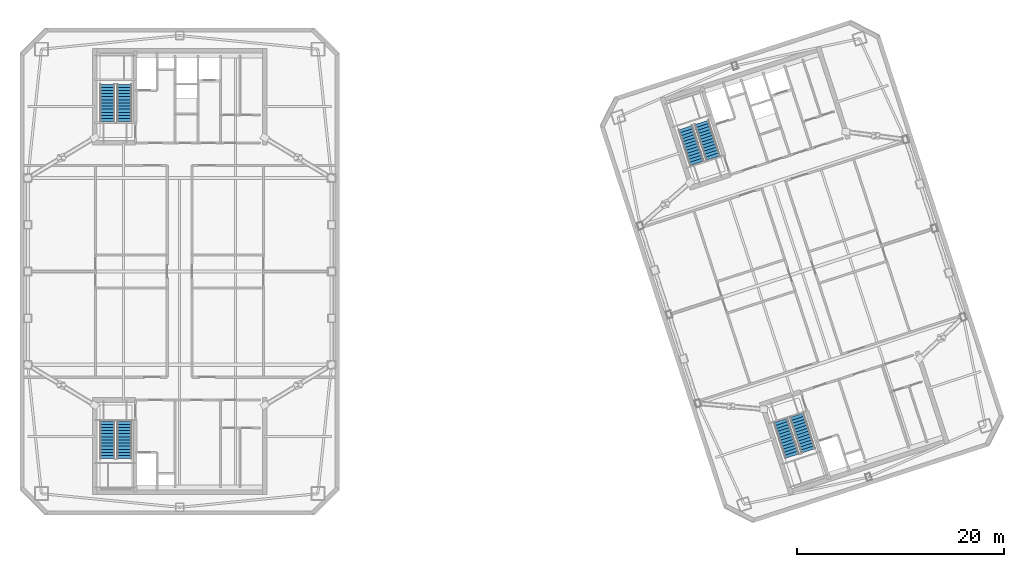
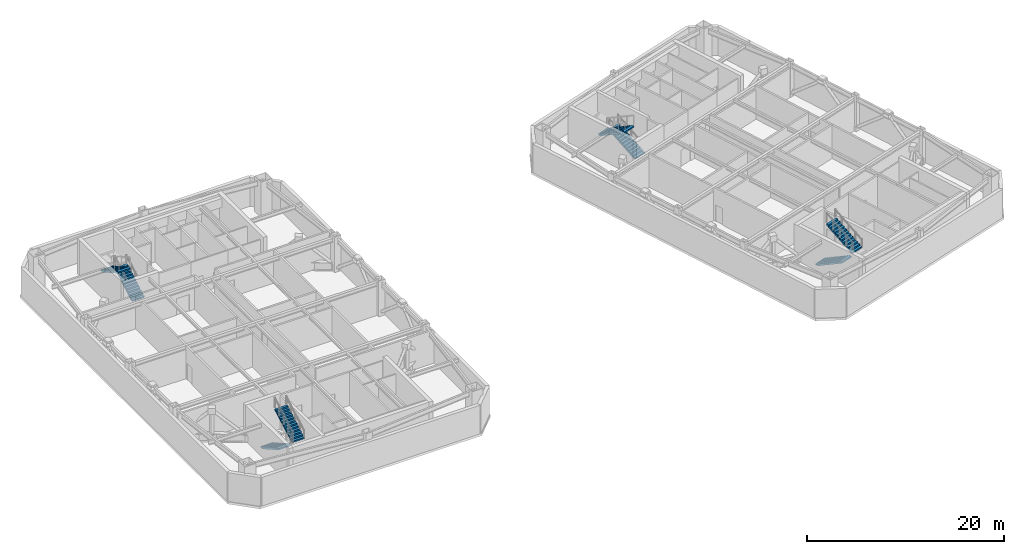
# One storey, part 15 of 17: 8 stair flights, 4 elements without a shape of their own.
"""IFC4 building model written with IfcOpenShell, lengths in metres."""

from ifc_helpers import new_model, si_unit, direction, frame, origin, place, context, subcontext, project, spatial, polyline, outline, extrude, material, type_object, element, aggregate, save


model = new_model("IFC4")

# Units and contexts
model_context = context("Model", 3, precision=1e-05, world=origin(), true_north=direction((0.0, 1.0)))
body_context = subcontext(model_context, "Body", "Model", "MODEL_VIEW")
ifc_project = project(units=[si_unit("LENGTHUNIT", "METRE"), si_unit("AREAUNIT", "SQUARE_METRE"), si_unit("VOLUMEUNIT", "CUBIC_METRE"), si_unit("PLANEANGLEUNIT", "RADIAN"), si_unit("MASSUNIT", "GRAM", prefix="KILO")], contexts=[model_context])

# Site, building, storey
site_placement = place(None, origin())
site = spatial("IfcSite", under=ifc_project, at=site_placement, CompositionType="ELEMENT")
building_placement = place(site_placement, origin())
building = spatial("IfcBuilding", under=site, at=building_placement, Name="Qiaolan Cultural Towers", CompositionType="ELEMENT")
storey_placement = place(building_placement, frame((0.0, 0.0, 230.0)))
storey = spatial("IfcBuildingStorey", under=building, at=storey_placement, Name="L62", CompositionType="ELEMENT", Elevation=230.0)

# Stair, stair flights
ifc_material_1 = material(Name="Concrete C45", Category="concrete")
stair_type = type_object("IfcStairType", Name="STR-CORE-1500", PredefinedType="HALF_TURN_STAIR", material=ifc_material_1)
stair_1_placement = place(storey_placement, origin())
stair_1 = element("IfcStair", 1, at=stair_1_placement, inside=storey, type_object=stair_type, Name="L62 Smokeproof Exit Stair ST-W1", PredefinedType="HALF_TURN_STAIR")
ifc_material_2 = material(Name="Concrete C45", Category="concrete")
stair_flight_type = type_object("IfcStairFlightType", Name="STR-CORE-1500-FL", PredefinedType="STRAIGHT", material=ifc_material_2)
stair_flight_1_placement = place(storey_placement, frame((23.02001953125, 19.550048828125, 0.0), z_axis=(0.0, 0.0, 1.0), x_axis=(0.0, -1.0, 0.0)))
stair_flight_1 = element("IfcStairFlight", 2, at=stair_flight_1_placement, type_object=stair_flight_type, Name="ST-W1 flight 1", NumberOfRisers=13, NumberOfTreads=12, PredefinedType="STRAIGHT", RiserHeight=0.169230769, TreadLength=0.3, context=body_context, shape_type="SweptSolid", body=[
    extrude(outline(polyline([(0.0, 0.0), (0.0, 0.169189453125), (0.300048828125, 0.169189453125), (0.300048828125, 0.33837890625), (0.60009765625, 0.33837890625), (0.60009765625, 0.5078125), (0.89990234375, 0.5078125), (0.89990234375, 0.677001953125), (1.199951171875, 0.677001953125), (1.199951171875, 0.84619140625), (1.5, 0.84619140625), (1.5, 1.015380859375), (1.800048828125, 1.015380859375), (1.800048828125, 1.1845703125), (2.10009765625, 1.1845703125), (2.10009765625, 1.353759765625), (2.39990234375, 1.353759765625), (2.39990234375, 1.523193359375), (2.699951171875, 1.523193359375), (2.699951171875, 1.6923828125), (3.0, 1.6923828125), (3.0, 1.861572265625), (3.300048828125, 1.861572265625), (3.300048828125, 2.03076171875), (3.60009765625, 2.03076171875), (3.60009765625, 2.199951171875), (3.60009765625, 1.858642578125), (0.30517578125, 0.0), (0.0, 0.0)])), frame((0.0, 0.719970703125, 0.0), z_axis=(0.0, -1.0, 0.0), x_axis=(1.0, 0.0, 0.0)), (0.0, 0.0, 1.0), 1.43994140625),
])
stair_flight_2_placement = place(storey_placement, frame((24.659912109375, 15.949951171875, 2.199951171875), z_axis=(0.0, 0.0, 1.0), x_axis=(0.0, 1.0, 0.0)))
stair_flight_2 = element("IfcStairFlight", 3, at=stair_flight_2_placement, type_object=stair_flight_type, Name="ST-W1 flight 2", NumberOfRisers=13, NumberOfTreads=12, PredefinedType="STRAIGHT", RiserHeight=0.169230769, TreadLength=0.3, context=body_context, shape_type="SweptSolid", body=[
    extrude(outline(polyline([(0.0, 0.0), (0.0, 0.169189453125), (0.300048828125, 0.169189453125), (0.300048828125, 0.33837890625), (0.60009765625, 0.33837890625), (0.60009765625, 0.5078125), (0.89990234375, 0.5078125), (0.89990234375, 0.677001953125), (1.199951171875, 0.677001953125), (1.199951171875, 0.84619140625), (1.5, 0.84619140625), (1.5, 1.015380859375), (1.800048828125, 1.015380859375), (1.800048828125, 1.1845703125), (2.10009765625, 1.1845703125), (2.10009765625, 1.353759765625), (2.39990234375, 1.353759765625), (2.39990234375, 1.523193359375), (2.699951171875, 1.523193359375), (2.699951171875, 1.6923828125), (3.0, 1.6923828125), (3.0, 1.861572265625), (3.300048828125, 1.861572265625), (3.300048828125, 2.03076171875), (3.60009765625, 2.03076171875), (3.60009765625, 2.199951171875), (3.60009765625, 1.858642578125), (0.30517578125, 0.0), (0.0, 0.0)])), frame((0.0, 0.719970703125, 0.0), z_axis=(0.0, -1.0, 0.0), x_axis=(1.0, 0.0, 0.0)), (0.0, 0.0, 1.0), 1.43994140625),
])
aggregate(stair_1, [stair_flight_1, stair_flight_2])

stair_2_placement = place(storey_placement, origin())
stair_2 = element("IfcStair", 4, at=stair_2_placement, inside=storey, type_object=stair_type, Name="L62 Smokeproof Exit Stair ST-W2", PredefinedType="HALF_TURN_STAIR")
stair_flight_3_placement = place(storey_placement, frame((24.659912109375, 48.449951171875, 0.0), z_axis=(0.0, 0.0, 1.0), x_axis=(0.0, 1.0, 0.0)))
stair_flight_3 = element("IfcStairFlight", 5, at=stair_flight_3_placement, type_object=stair_flight_type, Name="ST-W2 flight 1", NumberOfRisers=13, NumberOfTreads=12, PredefinedType="STRAIGHT", RiserHeight=0.169230769, TreadLength=0.3, context=body_context, shape_type="SweptSolid", body=[
    extrude(outline(polyline([(0.0, 0.0), (0.0, 0.169189453125), (0.300048828125, 0.169189453125), (0.300048828125, 0.33837890625), (0.60009765625, 0.33837890625), (0.60009765625, 0.5078125), (0.89990234375, 0.5078125), (0.89990234375, 0.677001953125), (1.199951171875, 0.677001953125), (1.199951171875, 0.84619140625), (1.5, 0.84619140625), (1.5, 1.015380859375), (1.800048828125, 1.015380859375), (1.800048828125, 1.1845703125), (2.10009765625, 1.1845703125), (2.10009765625, 1.353759765625), (2.39990234375, 1.353759765625), (2.39990234375, 1.523193359375), (2.699951171875, 1.523193359375), (2.699951171875, 1.6923828125), (3.0, 1.6923828125), (3.0, 1.861572265625), (3.300048828125, 1.861572265625), (3.300048828125, 2.03076171875), (3.60009765625, 2.03076171875), (3.60009765625, 2.199951171875), (3.60009765625, 1.858642578125), (0.30517578125, 0.0), (0.0, 0.0)])), frame((0.0, 0.719970703125, 0.0), z_axis=(0.0, -1.0, 0.0), x_axis=(1.0, 0.0, 0.0)), (0.0, 0.0, 1.0), 1.43994140625),
])
stair_flight_4_placement = place(storey_placement, frame((23.02001953125, 52.050048828125, 2.199951171875), z_axis=(0.0, 0.0, 1.0), x_axis=(0.0, -1.0, 0.0)))
stair_flight_4 = element("IfcStairFlight", 6, at=stair_flight_4_placement, type_object=stair_flight_type, Name="ST-W2 flight 2", NumberOfRisers=13, NumberOfTreads=12, PredefinedType="STRAIGHT", RiserHeight=0.169230769, TreadLength=0.3, context=body_context, shape_type="SweptSolid", body=[
    extrude(outline(polyline([(0.0, 0.0), (0.0, 0.169189453125), (0.300048828125, 0.169189453125), (0.300048828125, 0.33837890625), (0.60009765625, 0.33837890625), (0.60009765625, 0.5078125), (0.89990234375, 0.5078125), (0.89990234375, 0.677001953125), (1.199951171875, 0.677001953125), (1.199951171875, 0.84619140625), (1.5, 0.84619140625), (1.5, 1.015380859375), (1.800048828125, 1.015380859375), (1.800048828125, 1.1845703125), (2.10009765625, 1.1845703125), (2.10009765625, 1.353759765625), (2.39990234375, 1.353759765625), (2.39990234375, 1.523193359375), (2.699951171875, 1.523193359375), (2.699951171875, 1.6923828125), (3.0, 1.6923828125), (3.0, 1.861572265625), (3.300048828125, 1.861572265625), (3.300048828125, 2.03076171875), (3.60009765625, 2.03076171875), (3.60009765625, 2.199951171875), (3.60009765625, 1.858642578125), (0.30517578125, 0.0), (0.0, 0.0)])), frame((0.0, 0.719970703125, 0.0), z_axis=(0.0, -1.0, 0.0), x_axis=(1.0, 0.0, 0.0)), (0.0, 0.0, 1.0), 1.43994140625),
])
aggregate(stair_2, [stair_flight_3, stair_flight_4])

stair_3_placement = place(storey_placement, origin())
stair_3 = element("IfcStair", 7, at=stair_3_placement, inside=storey, type_object=stair_type, Name="L62 Smokeproof Exit Stair ST-E1", PredefinedType="HALF_TURN_STAIR")
stair_flight_5_placement = place(storey_placement, frame((87.96484375, 19.6171875, 0.0), z_axis=(0.0, 0.0, 1.0), x_axis=(0.309016994375, -0.951056516295, 0.0)))
stair_flight_5 = element("IfcStairFlight", 8, at=stair_flight_5_placement, type_object=stair_flight_type, Name="ST-E1 flight 1", NumberOfRisers=13, NumberOfTreads=12, PredefinedType="STRAIGHT", RiserHeight=0.169230769, TreadLength=0.3, context=body_context, shape_type="SweptSolid", body=[
    extrude(outline(polyline([(0.0, 0.0), (0.0, 0.169189453125), (0.300048828125, 0.169189453125), (0.300048828125, 0.33837890625), (0.60009765625, 0.33837890625), (0.60009765625, 0.5078125), (0.89990234375, 0.5078125), (0.89990234375, 0.677001953125), (1.199951171875, 0.677001953125), (1.199951171875, 0.84619140625), (1.5, 0.84619140625), (1.5, 1.015380859375), (1.800048828125, 1.015380859375), (1.800048828125, 1.1845703125), (2.10009765625, 1.1845703125), (2.10009765625, 1.353759765625), (2.39990234375, 1.353759765625), (2.39990234375, 1.523193359375), (2.699951171875, 1.523193359375), (2.699951171875, 1.6923828125), (3.0, 1.6923828125), (3.0, 1.861572265625), (3.300048828125, 1.861572265625), (3.300048828125, 2.03076171875), (3.60009765625, 2.03076171875), (3.60009765625, 2.199951171875), (3.60009765625, 1.858642578125), (0.30517578125, 0.0), (0.0, 0.0)])), frame((0.0, 0.719970703125, 0.0), z_axis=(0.0, -1.0, 0.0), x_axis=(1.0, 0.0, 0.0)), (0.0, 0.0, 1.0), 1.43994140625),
])
stair_flight_6_placement = place(storey_placement, frame((90.63720703125, 16.7001953125, 2.199951171875), z_axis=(0.0, 0.0, 1.0), x_axis=(-0.309016994375, 0.951056516295, 0.0)))
stair_flight_6 = element("IfcStairFlight", 9, at=stair_flight_6_placement, type_object=stair_flight_type, Name="ST-E1 flight 2", NumberOfRisers=13, NumberOfTreads=12, PredefinedType="STRAIGHT", RiserHeight=0.169230769, TreadLength=0.3, context=body_context, shape_type="SweptSolid", body=[
    extrude(outline(polyline([(0.0, 0.0), (0.0, 0.169189453125), (0.300048828125, 0.169189453125), (0.300048828125, 0.33837890625), (0.60009765625, 0.33837890625), (0.60009765625, 0.5078125), (0.89990234375, 0.5078125), (0.89990234375, 0.677001953125), (1.199951171875, 0.677001953125), (1.199951171875, 0.84619140625), (1.5, 0.84619140625), (1.5, 1.015380859375), (1.800048828125, 1.015380859375), (1.800048828125, 1.1845703125), (2.10009765625, 1.1845703125), (2.10009765625, 1.353759765625), (2.39990234375, 1.353759765625), (2.39990234375, 1.523193359375), (2.699951171875, 1.523193359375), (2.699951171875, 1.6923828125), (3.0, 1.6923828125), (3.0, 1.861572265625), (3.300048828125, 1.861572265625), (3.300048828125, 2.03076171875), (3.60009765625, 2.03076171875), (3.60009765625, 2.199951171875), (3.60009765625, 1.858642578125), (0.30517578125, 0.0), (0.0, 0.0)])), frame((0.0, 0.719970703125, 0.0), z_axis=(0.0, -1.0, 0.0), x_axis=(1.0, 0.0, 0.0)), (0.0, 0.0, 1.0), 1.43994140625),
])
aggregate(stair_3, [stair_flight_5, stair_flight_6])

stair_4_placement = place(storey_placement, origin())
stair_4 = element("IfcStair", 10, at=stair_4_placement, inside=storey, type_object=stair_type, Name="L62 Smokeproof Exit Stair ST-E2", PredefinedType="HALF_TURN_STAIR")
stair_flight_7_placement = place(storey_placement, frame((81.459228515625, 44.946533203125, 0.0), z_axis=(0.0, 0.0, 1.0), x_axis=(-0.309016994375, 0.951056516295, 0.0)))
stair_flight_7 = element("IfcStairFlight", 11, at=stair_flight_7_placement, type_object=stair_flight_type, Name="ST-E2 flight 1", NumberOfRisers=13, NumberOfTreads=12, PredefinedType="STRAIGHT", RiserHeight=0.169230769, TreadLength=0.3, context=body_context, shape_type="SweptSolid", body=[
    extrude(outline(polyline([(0.0, 0.0), (0.0, 0.169189453125), (0.300048828125, 0.169189453125), (0.300048828125, 0.33837890625), (0.60009765625, 0.33837890625), (0.60009765625, 0.5078125), (0.89990234375, 0.5078125), (0.89990234375, 0.677001953125), (1.199951171875, 0.677001953125), (1.199951171875, 0.84619140625), (1.5, 0.84619140625), (1.5, 1.015380859375), (1.800048828125, 1.015380859375), (1.800048828125, 1.1845703125), (2.10009765625, 1.1845703125), (2.10009765625, 1.353759765625), (2.39990234375, 1.353759765625), (2.39990234375, 1.523193359375), (2.699951171875, 1.523193359375), (2.699951171875, 1.6923828125), (3.0, 1.6923828125), (3.0, 1.861572265625), (3.300048828125, 1.861572265625), (3.300048828125, 2.03076171875), (3.60009765625, 2.03076171875), (3.60009765625, 2.199951171875), (3.60009765625, 1.858642578125), (0.30517578125, 0.0), (0.0, 0.0)])), frame((0.0, 0.719970703125, 0.0), z_axis=(0.0, -1.0, 0.0), x_axis=(1.0, 0.0, 0.0)), (0.0, 0.0, 1.0), 1.43994140625),
])
stair_flight_8_placement = place(storey_placement, frame((78.787109375, 47.863525390625, 2.199951171875), z_axis=(0.0, 0.0, 1.0), x_axis=(0.309016994375, -0.951056516295, 0.0)))
stair_flight_8 = element("IfcStairFlight", 12, at=stair_flight_8_placement, type_object=stair_flight_type, Name="ST-E2 flight 2", NumberOfRisers=13, NumberOfTreads=12, PredefinedType="STRAIGHT", RiserHeight=0.169230769, TreadLength=0.3, context=body_context, shape_type="SweptSolid", body=[
    extrude(outline(polyline([(0.0, 0.0), (0.0, 0.169189453125), (0.300048828125, 0.169189453125), (0.300048828125, 0.33837890625), (0.60009765625, 0.33837890625), (0.60009765625, 0.5078125), (0.89990234375, 0.5078125), (0.89990234375, 0.677001953125), (1.199951171875, 0.677001953125), (1.199951171875, 0.84619140625), (1.5, 0.84619140625), (1.5, 1.015380859375), (1.800048828125, 1.015380859375), (1.800048828125, 1.1845703125), (2.10009765625, 1.1845703125), (2.10009765625, 1.353759765625), (2.39990234375, 1.353759765625), (2.39990234375, 1.523193359375), (2.699951171875, 1.523193359375), (2.699951171875, 1.6923828125), (3.0, 1.6923828125), (3.0, 1.861572265625), (3.300048828125, 1.861572265625), (3.300048828125, 2.03076171875), (3.60009765625, 2.03076171875), (3.60009765625, 2.199951171875), (3.60009765625, 1.858642578125), (0.30517578125, 0.0), (0.0, 0.0)])), frame((0.0, 0.719970703125, 0.0), z_axis=(0.0, -1.0, 0.0), x_axis=(1.0, 0.0, 0.0)), (0.0, 0.0, 1.0), 1.43994140625),
])
aggregate(stair_4, [stair_flight_7, stair_flight_8])

save(model, "model.ifc")
